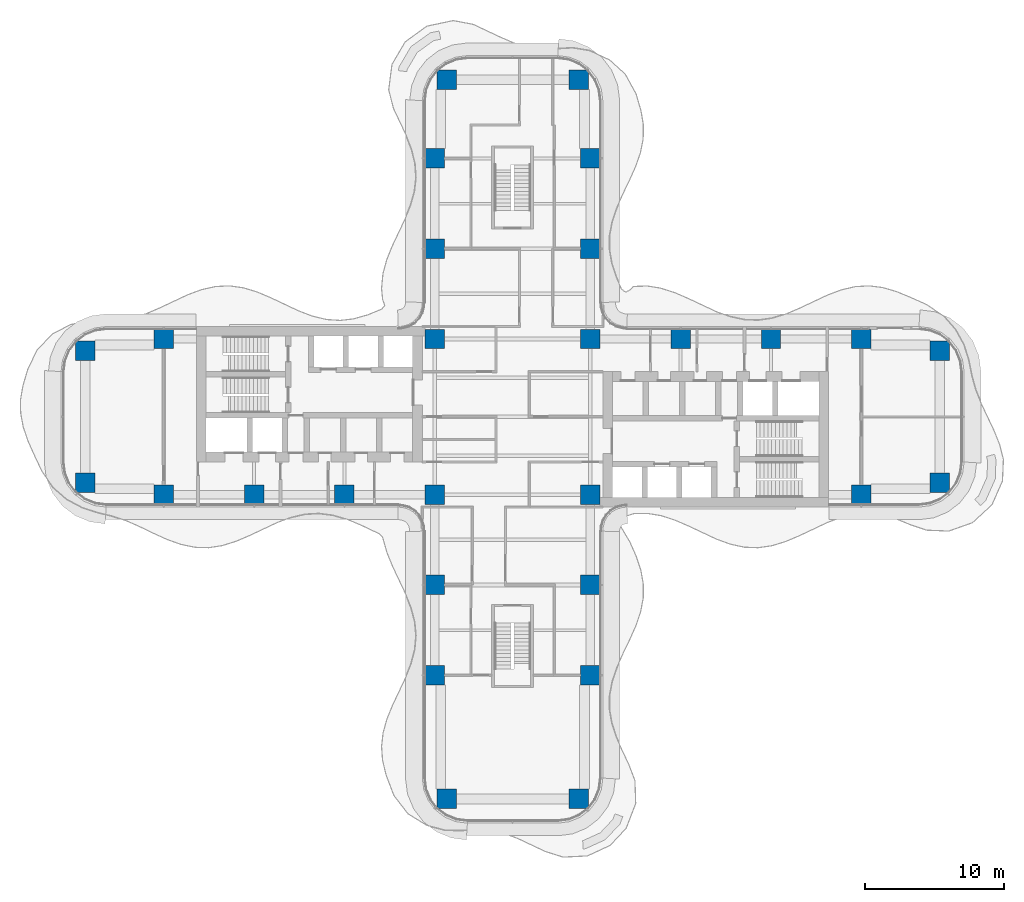
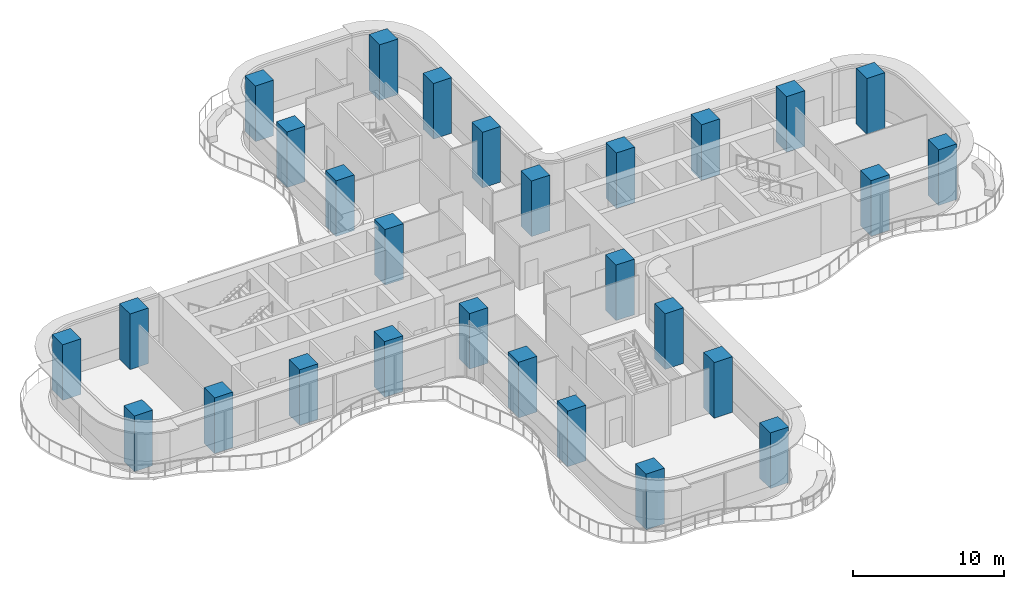
# One storey, part 1 of 22: 28 columns.
"""IFC4 building model written with IfcOpenShell, lengths in metres."""

from ifc_helpers import new_model, si_unit, direction, frame, origin, origin_2d, place, context, subcontext, project, spatial, rectangle, extrude, source, transform, mapped, material, material_profile, profile_set, type_object, element, save


model = new_model("IFC4")

# Units and contexts
model_context = context("Model", 3, precision=1e-05, world=origin(), true_north=direction((0.0, 1.0)))
body_context = subcontext(model_context, "Body", "Model", "MODEL_VIEW")
ifc_project = project(units=[si_unit("LENGTHUNIT", "METRE"), si_unit("AREAUNIT", "SQUARE_METRE"), si_unit("VOLUMEUNIT", "CUBIC_METRE"), si_unit("PLANEANGLEUNIT", "RADIAN"), si_unit("MASSUNIT", "GRAM", prefix="KILO")], contexts=[model_context])

# Site, building, storey
site_placement = place(None, origin())
site = spatial("IfcSite", under=ifc_project, at=site_placement, CompositionType="ELEMENT")
building_placement = place(site_placement, origin())
building = spatial("IfcBuilding", under=site, at=building_placement, Name="Trellis Farm Tower", CompositionType="ELEMENT")
storey_placement = place(building_placement, frame((0.0, 0.0, 88.0)))
storey = spatial("IfcBuildingStorey", under=building, at=storey_placement, Name="L18", CompositionType="ELEMENT", Elevation=88.0)

# Columns
ifc_material = material(Name="Concrete C80/95", Category="concrete")
ifc_material_profile = material_profile(ifc_material, rectangle(XDim=1.39990234375, YDim=1.39990234375, at=origin_2d()), Name="RC column 1400x1400 C80/95")
ifc_profile_set = profile_set([ifc_material_profile], Name="Concrete C80/95")
column_type = type_object("IfcColumnType", Name="RC column 1400x1400 C80/95", PredefinedType="COLUMN", material=ifc_profile_set)
shared_shape = source(origin(), body_context, "Body", "SweptSolid", [
    extrude(rectangle(XDim=1.39990234375, YDim=1.39990234375, at=origin_2d()), origin(), (0.0, 0.0, 1.0), 4.5),
])
for number, where, z_axis, x_axis, name in (
    (1, (12.10009765625, 5.60009765625, 0.0), (0.0, 0.0, 1.0), (1.0, 0.0, 0.0), "Column"),
    (2, (18.60009765625, 5.60009765625, 0.0), (0.0, 0.0, 1.0), (1.0, 0.0, 0.0), "Column"),
    (3, (25.10009765625, 5.60009765625, 0.0), (0.0, 0.0, 1.0), (1.0, 0.0, 0.0), "Column"),
    (4, (30.75, 4.75, 0.0), (0.0, 0.0, 1.0), (1.0, 0.0, 0.0), "Column"),
    (5, (25.10009765625, -5.60009765625, 0.0), (0.0, 0.0, 1.0), (1.0, 0.0, 0.0), "Column"),
    (6, (30.75, -4.75, 0.0), (0.0, 0.0, 1.0), (1.0, 0.0, 0.0), "Column"),
    (7, (-5.60009765625, 12.10009765625, 0.0), (0.0, 0.0, 1.0), (1.0, 0.0, 0.0), "Column"),
    (8, (-5.60009765625, 18.60009765625, 0.0), (0.0, 0.0, 1.0), (1.0, 0.0, 0.0), "Column"),
    (9, (-4.75, 24.25, 0.0), (0.0, 0.0, 1.0), (1.0, 0.0, 0.0), "Column"),
    (10, (5.60009765625, 12.10009765625, 0.0), (0.0, 0.0, 1.0), (1.0, 0.0, 0.0), "Column"),
    (11, (5.60009765625, 18.60009765625, 0.0), (0.0, 0.0, 1.0), (1.0, 0.0, 0.0), "Column"),
    (12, (4.75, 24.25, 0.0), (0.0, 0.0, 1.0), (1.0, 0.0, 0.0), "Column"),
    (13, (5.60009765625, 5.60009765625, 0.0), (0.0, 0.0, 1.0), (1.0, 0.0, 0.0), "Column"),
    (14, (-5.60009765625, 5.60009765625, 0.0), (0.0, 0.0, 1.0), (1.0, 0.0, 0.0), "Column"),
    (15, (5.60009765625, -5.60009765625, 0.0), (0.0, 0.0, 1.0), (1.0, 0.0, 0.0), "Column"),
    (16, (-5.60009765625, -5.60009765625, 0.0), (0.0, 0.0, 1.0), (1.0, 0.0, 0.0), "Column"),
    (17, (5.60009765625, -12.10009765625, 0.0), (0.0, 0.0, 1.0), (1.0, 0.0, 0.0), "Column"),
    (18, (5.60009765625, -18.60009765625, 0.0), (0.0, 0.0, 1.0), (1.0, 0.0, 0.0), "Column"),
    (19, (4.75, -27.5, 0.0), (0.0, 0.0, 1.0), (1.0, 0.0, 0.0), "Column"),
    (20, (-5.60009765625, -12.10009765625, 0.0), (0.0, 0.0, 1.0), (1.0, 0.0, 0.0), "Column"),
    (21, (-5.60009765625, -18.60009765625, 0.0), (0.0, 0.0, 1.0), (1.0, 0.0, 0.0), "Column"),
    (22, (-4.75, -27.5, 0.0), (0.0, 0.0, 1.0), (1.0, 0.0, 0.0), "Column"),
    (23, (-12.10009765625, -5.60009765625, 0.0), (0.0, 0.0, 1.0), (1.0, 0.0, 0.0), "Column"),
    (24, (-18.60009765625, -5.60009765625, 0.0), (0.0, 0.0, 1.0), (1.0, 0.0, 0.0), "Column"),
    (25, (-25.10009765625, -5.60009765625, 0.0), (0.0, 0.0, 1.0), (1.0, 0.0, 0.0), "Column"),
    (26, (-30.75, -4.75, 0.0), (0.0, 0.0, 1.0), (1.0, 0.0, 0.0), "Column"),
    (27, (-25.10009765625, 5.60009765625, 0.0), (0.0, 0.0, 1.0), (1.0, 0.0, 0.0), "Column"),
    (28, (-30.75, 4.75, 0.0), (0.0, 0.0, 1.0), (1.0, 0.0, 0.0), "Column"),
):
    element("IfcColumn", number, at=place(storey_placement, frame(where, z_axis=z_axis, x_axis=x_axis)), inside=storey, type_object=column_type, Name=name, PredefinedType="COLUMN", context=body_context, shape_type="MappedRepresentation", body=[
        mapped(shared_shape, transform((0.0, 0.0, 0.0))),
    ])

save(model, "model.ifc")
